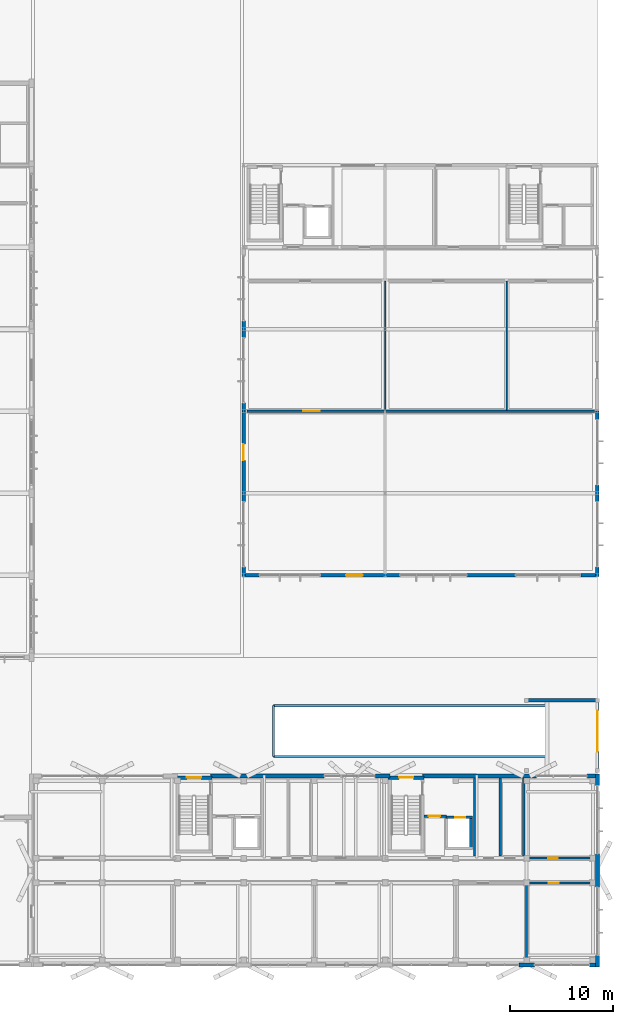
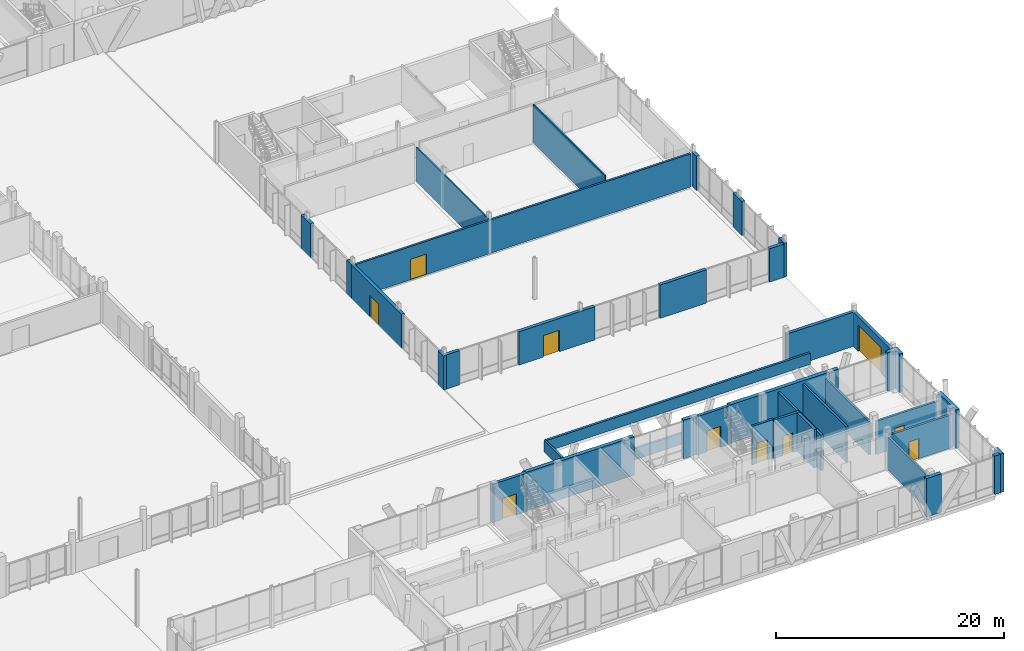
# One storey, part 202 of 233: 39 walls, 10 doors, 10 openings.
"""IFC4 building model written with IfcOpenShell, lengths in metres."""

from ifc_helpers import new_model, si_unit, direction, frame, frame_2d, origin, origin_with_axes, place, context, subcontext, project, spatial, rectangle, extrude, material, layer, layer_set, type_object, element, fill, save


model = new_model("IFC4")

# Units and contexts
model_context = context("Model", 3, precision=1e-05, world=origin(), true_north=direction((0.0, 1.0)))
body_context = subcontext(model_context, "Body", "Model", "MODEL_VIEW")
ifc_project = project(units=[si_unit("LENGTHUNIT", "METRE"), si_unit("AREAUNIT", "SQUARE_METRE"), si_unit("VOLUMEUNIT", "CUBIC_METRE"), si_unit("PLANEANGLEUNIT", "RADIAN"), si_unit("MASSUNIT", "GRAM", prefix="KILO")], contexts=[model_context])

# Site, building, storey
site_placement = place(None, origin())
site = spatial("IfcSite", under=ifc_project, at=site_placement, CompositionType="ELEMENT")
building_placement = place(site_placement, origin())
building = spatial("IfcBuilding", under=site, at=building_placement, Name="Zavelmont Quarter", CompositionType="ELEMENT")
storey_placement = place(building_placement, origin())
storey = spatial("IfcBuildingStorey", under=building, at=storey_placement, Name="L00", CompositionType="ELEMENT", Elevation=0.0)

# Walls
ifc_material_1 = material(Name="Natural Belgian limestone", Category="masonry")
ifc_layer_1 = layer(ifc_material_1, 0.3798828125)
ifc_layer_set_1 = layer_set([ifc_layer_1], Name="Natural Belgian limestone")
wall_type_1 = type_object("IfcWallType", Name="EW01", PredefinedType="STANDARD", material=ifc_layer_set_1)
wall_1_placement = place(storey_placement, frame((160.35009765625, 0.0, 0.0), z_axis=(0.0, 0.0, 1.0), x_axis=(1.0, 0.0, 0.0)))
element("IfcWall", 1, at=wall_1_placement, inside=storey, type_object=wall_type_1, Name="L00 exterior limestone wall EW01", PredefinedType="STANDARD", context=body_context, shape_type="SweptSolid", body=[
    extrude(rectangle(XDim=1.5, YDim=0.3798828125, at=frame_2d((0.75, 0.0))), origin(), (0.0, 0.0, 1.0), 4.1201171875),
])
wall_2_placement = place(storey_placement, frame((167.25, 0.0, 0.0), z_axis=(0.0, 0.0, 1.0), x_axis=(1.0, 0.0, 0.0)))
element("IfcWall", 2, at=wall_2_placement, inside=storey, type_object=wall_type_1, Name="L00 exterior limestone wall EW01", PredefinedType="STANDARD", context=body_context, shape_type="SweptSolid", body=[
    extrude(rectangle(XDim=0.570068359375, YDim=0.3798828125, at=frame_2d((0.28515625, 0.0))), origin(), (0.0, 0.0, 1.0), 4.1201171875),
])
wall_3_placement = place(storey_placement, frame((130.25, 18.39990234375, 0.0), z_axis=(0.0, 0.0, 1.0), x_axis=(1.0, 0.0, 0.0)))
element("IfcWall", 3, at=wall_3_placement, inside=storey, type_object=wall_type_1, Name="L00 exterior limestone wall EW01", PredefinedType="STANDARD", context=body_context, shape_type="SweptSolid", body=[
    extrude(rectangle(XDim=11.10009765625, YDim=0.3798828125, at=frame_2d((5.550048828125, 0.0))), origin(), (0.0, 0.0, 1.0), 4.1201171875),
])
wall_4_placement = place(storey_placement, frame((146.35009765625, 18.39990234375, 0.0), z_axis=(0.0, 0.0, 1.0), x_axis=(1.0, 0.0, 0.0)))
element("IfcWall", 4, at=wall_4_placement, inside=storey, type_object=wall_type_1, Name="L00 exterior limestone wall EW01", PredefinedType="STANDARD", context=body_context, shape_type="SweptSolid", body=[
    extrude(rectangle(XDim=1.39990234375, YDim=0.3798828125, at=frame_2d((0.699951171875, 0.0))), origin(), (0.0, 0.0, 1.0), 4.1201171875),
])
wall_5_placement = place(storey_placement, frame((150.949951171875, 18.39990234375, 0.0), z_axis=(0.0, 0.0, 1.0), x_axis=(1.0, 0.0, 0.0)))
element("IfcWall", 5, at=wall_5_placement, inside=storey, type_object=wall_type_1, Name="L00 exterior limestone wall EW01", PredefinedType="STANDARD", context=body_context, shape_type="SweptSolid", body=[
    extrude(rectangle(XDim=11.10009765625, YDim=0.3798828125, at=frame_2d((5.550048828125, 0.0))), origin(), (0.0, 0.0, 1.0), 4.1201171875),
])
wall_6_placement = place(storey_placement, frame((167.0, 18.39990234375, 0.0), z_axis=(0.0, 0.0, 1.0), x_axis=(1.0, 0.0, 0.0)))
element("IfcWall", 6, at=wall_6_placement, inside=storey, type_object=wall_type_1, Name="L00 exterior limestone wall EW01", PredefinedType="STANDARD", context=body_context, shape_type="SweptSolid", body=[
    extrude(rectangle(XDim=0.820068359375, YDim=0.3798828125, at=frame_2d((0.41015625, 0.0))), origin(), (0.0, 0.0, 1.0), 4.1201171875),
])
wall_7_placement = place(storey_placement, frame((168.0, -0.18994140625, 0.0), z_axis=(0.0, 0.0, 1.0), x_axis=(0.0, 1.0, 0.0)))
element("IfcWall", 7, at=wall_7_placement, inside=storey, type_object=wall_type_1, Name="L00 exterior limestone wall EW01", PredefinedType="STANDARD", context=body_context, shape_type="SweptSolid", body=[
    extrude(rectangle(XDim=1.08984375, YDim=0.3798828125, at=frame_2d((0.544921875, 0.0))), origin(), (0.0, 0.0, 1.0), 4.1201171875),
])
wall_8_placement = place(storey_placement, frame((168.0, 7.60009765625, 0.0), z_axis=(0.0, 0.0, 1.0), x_axis=(0.0, 1.0, 0.0)))
element("IfcWall", 8, at=wall_8_placement, inside=storey, type_object=wall_type_1, Name="L00 exterior limestone wall EW01", PredefinedType="STANDARD", context=body_context, shape_type="SweptSolid", body=[
    extrude(rectangle(XDim=3.199951171875, YDim=0.3798828125, at=frame_2d((1.60009765625, 0.0))), origin(), (0.0, 0.0, 1.0), 4.1201171875),
])
wall_9_placement = place(storey_placement, frame((168.0, 17.5, 0.0), z_axis=(0.0, 0.0, 1.0), x_axis=(0.0, 1.0, 0.0)))
element("IfcWall", 9, at=wall_9_placement, inside=storey, type_object=wall_type_1, Name="L00 exterior limestone wall EW01", PredefinedType="STANDARD", context=body_context, shape_type="SweptSolid", body=[
    extrude(rectangle(XDim=1.090087890625, YDim=0.3798828125, at=frame_2d((0.544921875, 0.0))), origin(), (0.0, 0.0, 1.0), 4.1201171875),
])
ifc_layer_2 = layer(ifc_material_1, 0.320068359375)
ifc_layer_set_2 = layer_set([ifc_layer_2], Name="Natural Belgian limestone")
wall_type_2 = type_object("IfcWallType", Name="EW05", PredefinedType="STANDARD", material=ifc_layer_set_2)
wall_10_placement = place(storey_placement, frame((133.5, 37.840087890625, 0.0), z_axis=(0.0, 0.0, 1.0), x_axis=(0.0, 1.0, 0.0)))
element("IfcWall", 10, at=wall_10_placement, inside=storey, type_object=wall_type_2, Name="L00 exterior limestone wall EW05", PredefinedType="STANDARD", context=body_context, shape_type="SweptSolid", body=[
    extrude(rectangle(XDim=0.9599609375, YDim=0.320068359375, at=frame_2d((0.47998046875, 0.0))), origin(), (0.0, 0.0, 1.0), 3.659912109375),
])

# Wall, opening, door
wall_11_placement = place(storey_placement, frame((133.5, 45.199951171875, 0.0), z_axis=(0.0, 0.0, 1.0), x_axis=(0.0, 1.0, 0.0)))
wall_11 = element("IfcWall", 11, at=wall_11_placement, inside=storey, type_object=wall_type_2, Name="L00 exterior limestone wall EW05", PredefinedType="STANDARD", context=body_context, shape_type="SweptSolid", body=[
    extrude(rectangle(XDim=8.800048828125, YDim=0.320068359375, at=frame_2d((4.39990234375, 0.0))), origin(), (0.0, 0.0, 1.0), 3.659912109375),
])
opening_1_placement = place(wall_11_placement, frame((4.0, 0.0, 0.0)))
opening_1 = element("IfcOpeningElement", 12, at=opening_1_placement, cuts=wall_11, Name="Opening DR01B", PredefinedType="OPENING", context=body_context, shape_type="SweptSolid", body=[
    extrude(rectangle(XDim=1.60009765625, YDim=2.300048828125, at=frame_2d((0.800048828125, 1.14990234375))), frame((0.0, 0.171875, 0.0), z_axis=(0.0, -1.0, 0.0), x_axis=(1.0, 0.0, 0.0)), (0.0, 0.0, 1.0), 0.343994140625),
])
ifc_material_2 = material(Name="Powder-coated aluminium and tempered double safety glass", Category="aluminium")
door_type_1 = type_object("IfcDoorType", Name="DR01B", OperationType="DOUBLE_DOOR_SINGLE_SWING", PredefinedType="DOOR", material=ifc_material_2)
door_1_placement = place(opening_1_placement, origin_with_axes())
door_1 = element("IfcDoor", 13, at=door_1_placement, inside=storey, type_object=door_type_1, Name="Nursery West garden exit door", OperationType="DOUBLE_DOOR_SINGLE_SWING", OverallHeight=2.300048828125, OverallWidth=1.60009765625, PredefinedType="DOOR", context=body_context, shape_type="SweptSolid", body=[
    extrude(rectangle(XDim=1.60009765625, YDim=2.300048828125, at=frame_2d((0.800048828125, 1.14990234375))), frame((0.0, 0.02490234375, 0.0), z_axis=(0.0, -1.0, 0.0), x_axis=(1.0, 0.0, 0.0)), (0.0, 0.0, 1.0), 0.050048828125),
])
fill(opening_1, door_1)

# Walls
wall_12_placement = place(storey_placement, frame((133.5, 54.0, 0.0), z_axis=(0.0, 0.0, 1.0), x_axis=(0.0, 1.0, 0.0)))
element("IfcWall", 14, at=wall_12_placement, inside=storey, type_object=wall_type_2, Name="L00 exterior limestone wall EW05", PredefinedType="STANDARD", context=body_context, shape_type="SweptSolid", body=[
    extrude(rectangle(XDim=0.800048828125, YDim=0.320068359375, at=frame_2d((0.39990234375, 0.0))), origin(), (0.0, 0.0, 1.0), 3.659912109375),
])
wall_13_placement = place(storey_placement, frame((133.5, 61.199951171875, 0.0), z_axis=(0.0, 0.0, 1.0), x_axis=(0.0, 1.0, 0.0)))
element("IfcWall", 15, at=wall_13_placement, inside=storey, type_object=wall_type_2, Name="L00 exterior limestone wall EW05", PredefinedType="STANDARD", context=body_context, shape_type="SweptSolid", body=[
    extrude(rectangle(XDim=1.60009765625, YDim=0.320068359375, at=frame_2d((0.800048828125, 0.0))), origin(), (0.0, 0.0, 1.0), 3.659912109375),
])
wall_14_placement = place(storey_placement, frame((168.0, 37.840087890625, 0.0), z_axis=(0.0, 0.0, 1.0), x_axis=(0.0, 1.0, 0.0)))
element("IfcWall", 16, at=wall_14_placement, inside=storey, type_object=wall_type_2, Name="L00 exterior limestone wall EW05", PredefinedType="STANDARD", context=body_context, shape_type="SweptSolid", body=[
    extrude(rectangle(XDim=0.9599609375, YDim=0.320068359375, at=frame_2d((0.47998046875, 0.0))), origin(), (0.0, 0.0, 1.0), 3.659912109375),
])
wall_15_placement = place(storey_placement, frame((168.0, 45.199951171875, 0.0), z_axis=(0.0, 0.0, 1.0), x_axis=(0.0, 1.0, 0.0)))
element("IfcWall", 17, at=wall_15_placement, inside=storey, type_object=wall_type_2, Name="L00 exterior limestone wall EW05", PredefinedType="STANDARD", context=body_context, shape_type="SweptSolid", body=[
    extrude(rectangle(XDim=1.60009765625, YDim=0.320068359375, at=frame_2d((0.800048828125, 0.0))), origin(), (0.0, 0.0, 1.0), 3.659912109375),
])
wall_16_placement = place(storey_placement, frame((168.0, 53.199951171875, 0.0), z_axis=(0.0, 0.0, 1.0), x_axis=(0.0, 1.0, 0.0)))
element("IfcWall", 18, at=wall_16_placement, inside=storey, type_object=wall_type_2, Name="L00 exterior limestone wall EW05", PredefinedType="STANDARD", context=body_context, shape_type="SweptSolid", body=[
    extrude(rectangle(XDim=0.800048828125, YDim=0.320068359375, at=frame_2d((0.39990234375, 0.0))), origin(), (0.0, 0.0, 1.0), 3.659912109375),
])
wall_17_placement = place(storey_placement, frame((133.64990234375, 38.0, 0.0), z_axis=(0.0, 0.0, 1.0), x_axis=(1.0, 0.0, 0.0)))
element("IfcWall", 19, at=wall_17_placement, inside=storey, type_object=wall_type_2, Name="L00 exterior limestone wall EW05", PredefinedType="STANDARD", context=body_context, shape_type="SweptSolid", body=[
    extrude(rectangle(XDim=1.35009765625, YDim=0.320068359375, at=frame_2d((0.675048828125, 0.0))), origin(), (0.0, 0.0, 1.0), 3.669921875),
])

# Wall, opening, door
wall_18_placement = place(storey_placement, frame((141.0, 38.0, 0.0), z_axis=(0.0, 0.0, 1.0), x_axis=(1.0, 0.0, 0.0)))
wall_18 = element("IfcWall", 20, at=wall_18_placement, inside=storey, type_object=wall_type_2, Name="L00 exterior limestone wall EW05", PredefinedType="STANDARD", context=body_context, shape_type="SweptSolid", body=[
    extrude(rectangle(XDim=7.699951171875, YDim=0.320068359375, at=frame_2d((3.85009765625, 0.0))), origin(), (0.0, 0.0, 1.0), 3.570068359375),
])
opening_2_placement = place(wall_18_placement, frame((2.5, 0.0, 0.0)))
opening_2 = element("IfcOpeningElement", 21, at=opening_2_placement, cuts=wall_18, Name="Opening DR01B", PredefinedType="OPENING", context=body_context, shape_type="SweptSolid", body=[
    extrude(rectangle(XDim=1.60009765625, YDim=2.300048828125, at=frame_2d((0.800048828125, 1.14990234375))), frame((0.0, 0.171875, 0.0), z_axis=(0.0, -1.0, 0.0), x_axis=(1.0, 0.0, 0.0)), (0.0, 0.0, 1.0), 0.343994140625),
])
door_2_placement = place(opening_2_placement, frame((1.60009765625, 0.0, 0.0), z_axis=(0.0, 0.0, 1.0), x_axis=(-1.0, 0.0, 0.0)))
door_2 = element("IfcDoor", 22, at=door_2_placement, inside=storey, type_object=door_type_1, Name="Nursery South play-court door", OperationType="DOUBLE_DOOR_SINGLE_SWING", OverallHeight=2.300048828125, OverallWidth=1.60009765625, PredefinedType="DOOR", context=body_context, shape_type="SweptSolid", body=[
    extrude(rectangle(XDim=1.60009765625, YDim=2.300048828125, at=frame_2d((0.800048828125, 1.14990234375))), frame((0.0, 0.02490234375, 0.0), z_axis=(0.0, -1.0, 0.0), x_axis=(1.0, 0.0, 0.0)), (0.0, 0.0, 1.0), 0.050048828125),
])
fill(opening_2, door_2)

# Walls
wall_19_placement = place(storey_placement, frame((155.300048828125, 38.0, 0.0), z_axis=(0.0, 0.0, 1.0), x_axis=(1.0, 0.0, 0.0)))
element("IfcWall", 23, at=wall_19_placement, inside=storey, type_object=wall_type_2, Name="L00 exterior limestone wall EW05", PredefinedType="STANDARD", context=body_context, shape_type="SweptSolid", body=[
    extrude(rectangle(XDim=4.699951171875, YDim=0.320068359375, at=frame_2d((2.35009765625, 0.0))), origin(), (0.0, 0.0, 1.0), 3.570068359375),
])
wall_20_placement = place(storey_placement, frame((166.39990234375, 38.0, 0.0), z_axis=(0.0, 0.0, 1.0), x_axis=(1.0, 0.0, 0.0)))
element("IfcWall", 24, at=wall_20_placement, inside=storey, type_object=wall_type_2, Name="L00 exterior limestone wall EW05", PredefinedType="STANDARD", context=body_context, shape_type="SweptSolid", body=[
    extrude(rectangle(XDim=1.4501953125, YDim=0.320068359375, at=frame_2d((0.72509765625, 0.0))), origin(), (0.0, 0.0, 1.0), 3.570068359375),
])

# Wall, opening, door
ifc_layer_3 = layer(ifc_material_1, 0.31005859375)
ifc_layer_set_3 = layer_set([ifc_layer_3], Name="Natural Belgian limestone")
wall_type_3 = type_object("IfcWallType", Name="EW06", PredefinedType="STANDARD", material=ifc_layer_set_3)
wall_21_placement = place(storey_placement, frame((168.0, 18.949951171875, 0.0), z_axis=(0.0, 0.0, 1.0), x_axis=(0.0, 1.0, 0.0)))
wall_21 = element("IfcWall", 25, at=wall_21_placement, inside=storey, type_object=wall_type_3, Name="L00 exterior limestone wall EW06", PredefinedType="STANDARD", context=body_context, shape_type="SweptSolid", body=[
    extrude(rectangle(XDim=6.85009765625, YDim=0.31005859375, at=frame_2d((3.425048828125, 0.0))), origin(), (0.0, 0.0, 1.0), 3.679931640625),
])
opening_3_placement = place(wall_21_placement, frame((1.85009765625, 0.0, 0.0)))
opening_3 = element("IfcOpeningElement", 26, at=opening_3_placement, cuts=wall_21, Name="Opening VG01", PredefinedType="OPENING", context=body_context, shape_type="SweptSolid", body=[
    extrude(rectangle(XDim=4.0, YDim=2.800048828125, at=frame_2d((2.0, 1.39990234375))), frame((0.0, 0.1669921875, 0.0), z_axis=(0.0, -1.0, 0.0), x_axis=(1.0, 0.0, 0.0)), (0.0, 0.0, 1.0), 0.333984375),
])
ifc_material_3 = material(Name="Galvanised and powder-coated steel slats", Category="steel")
door_type_2 = type_object("IfcDoorType", Name="VG01", OperationType="ROLLINGUP", PredefinedType="GATE", material=ifc_material_3)
door_3_placement = place(opening_3_placement, frame((4.0, 0.0, 0.0), z_axis=(0.0, 0.0, 1.0), x_axis=(-1.0, 0.0, 0.0)))
door_3 = element("IfcDoor", 27, at=door_3_placement, inside=storey, type_object=door_type_2, Name="Basement vehicle ramp roller-shutter gate VG01", OperationType="ROLLINGUP", OverallHeight=2.800048828125, OverallWidth=4.0, PredefinedType="GATE", context=body_context, shape_type="SweptSolid", body=[
    extrude(rectangle(XDim=4.0, YDim=2.800048828125, at=frame_2d((2.0, 1.39990234375))), frame((0.0, 0.02490234375, 0.0), z_axis=(0.0, -1.0, 0.0), x_axis=(1.0, 0.0, 0.0)), (0.0, 0.0, 1.0), 0.050048828125),
])
fill(opening_3, door_3)

# Walls
wall_22_placement = place(storey_placement, frame((161.10009765625, 25.800048828125, 0.0), z_axis=(0.0, 0.0, 1.0), x_axis=(1.0, 0.0, 0.0)))
element("IfcWall", 28, at=wall_22_placement, inside=storey, type_object=wall_type_3, Name="L00 exterior limestone wall EW06", PredefinedType="STANDARD", context=body_context, shape_type="SweptSolid", body=[
    extrude(rectangle(XDim=6.89990234375, YDim=0.31005859375, at=frame_2d((3.449951171875, 0.0))), origin(), (0.0, 0.0, 1.0), 3.679931640625),
])
ifc_material_4 = material(Name="Calcium-silicate blockwork and acoustic plaster", Category="masonry")
ifc_layer_4 = layer(ifc_material_4, 0.199951171875)
ifc_layer_set_4 = layer_set([ifc_layer_4], Name="Calcium-silicate blockwork and acoustic plaster")
wall_type_4 = type_object("IfcWallType", Name="IW01", PredefinedType="PARTITIONING", material=ifc_layer_set_4)
wall_23_placement = place(storey_placement, frame((158.52490234375, 10.60009765625, 0.0), z_axis=(0.0, 0.0, 1.0), x_axis=(0.0, 1.0, 0.0)))
element("IfcWall", 29, at=wall_23_placement, inside=storey, type_object=wall_type_4, Name="L00 Service riser divider wall IW01", PredefinedType="PARTITIONING", context=body_context, shape_type="SweptSolid", body=[
    extrude(rectangle(XDim=7.599853515625, YDim=0.199951171875, at=frame_2d((3.7998046875, 0.0))), origin(), (0.0, 0.0, 1.0), 3.7900390625),
])
wall_24_placement = place(storey_placement, frame((160.820068359375, 10.60009765625, 0.0), z_axis=(0.0, 0.0, 1.0), x_axis=(0.0, 1.0, 0.0)))
element("IfcWall", 30, at=wall_24_placement, inside=storey, type_object=wall_type_4, Name="L00 Core service end wall IW01", PredefinedType="PARTITIONING", context=body_context, shape_type="SweptSolid", body=[
    extrude(rectangle(XDim=7.599853515625, YDim=0.199951171875, at=frame_2d((3.7998046875, 0.0))), origin(), (0.0, 0.0, 1.0), 3.56005859375),
])
wall_25_placement = place(storey_placement, frame((161.10009765625, 0.25, 0.0), z_axis=(0.0, 0.0, 1.0), x_axis=(0.0, 1.0, 0.0)))
element("IfcWall", 31, at=wall_25_placement, inside=storey, type_object=wall_type_4, Name="L00 Interior partition IW01", PredefinedType="PARTITIONING", context=body_context, shape_type="SweptSolid", body=[
    extrude(rectangle(XDim=7.60009765625, YDim=0.199951171875, at=frame_2d((3.800048828125, 0.0))), origin(), (0.0, 0.0, 1.0), 3.56005859375),
])

# Wall, opening, door
wall_26_placement = place(storey_placement, frame((161.25, 8.0, 0.0), z_axis=(0.0, 0.0, 1.0), x_axis=(1.0, 0.0, 0.0)))
wall_26 = element("IfcWall", 32, at=wall_26_placement, inside=storey, type_object=wall_type_4, Name="L00 Accessible Toilet corridor wall IW01", PredefinedType="PARTITIONING", context=body_context, shape_type="SweptSolid", body=[
    extrude(rectangle(XDim=6.449951171875, YDim=0.199951171875, at=frame_2d((3.22509765625, 0.0))), origin(), (0.0, 0.0, 1.0), 3.56005859375),
])
opening_4_placement = place(wall_26_placement, frame((2.0, 0.0, 0.0)))
opening_4 = element("IfcOpeningElement", 33, at=opening_4_placement, cuts=wall_26, Name="Opening DR07", PredefinedType="OPENING", context=body_context, shape_type="SweptSolid", body=[
    extrude(rectangle(XDim=1.0, YDim=2.14990234375, at=frame_2d((0.5, 1.074951171875))), frame((0.0, 0.11181640625, 0.0), z_axis=(0.0, -1.0, 0.0), x_axis=(1.0, 0.0, 0.0)), (0.0, 0.0, 1.0), 0.223876953125),
])
ifc_material_5 = material(Name="Solid-core oak fire leaf in steel frame", Category="steel")
door_type_3 = type_object("IfcDoorType", Name="DR07", OperationType="NOTDEFINED", PredefinedType="DOOR", material=ifc_material_5)
door_4_placement = place(opening_4_placement, frame((1.0, 0.0, 0.0), z_axis=(0.0, 0.0, 1.0), x_axis=(-1.0, 0.0, 0.0)))
door_4 = element("IfcDoor", 34, at=door_4_placement, inside=storey, type_object=door_type_3, Name="L00 door DR07", OperationType="SINGLE_SWING_LEFT", OverallHeight=2.14990234375, OverallWidth=1.0, PredefinedType="DOOR", context=body_context, shape_type="SweptSolid", body=[
    extrude(rectangle(XDim=1.0, YDim=2.14990234375, at=frame_2d((0.5, 1.074951171875))), frame((0.0, 0.02490234375, 0.0), z_axis=(0.0, -1.0, 0.0), x_axis=(1.0, 0.0, 0.0)), (0.0, 0.0, 1.0), 0.050048828125),
])
fill(opening_4, door_4)

wall_27_placement = place(storey_placement, frame((161.300048828125, 10.39990234375, 0.0), z_axis=(0.0, 0.0, 1.0), x_axis=(1.0, 0.0, 0.0)))
wall_27 = element("IfcWall", 35, at=wall_27_placement, inside=storey, type_object=wall_type_4, Name="L00 Interior partition IW01", PredefinedType="PARTITIONING", context=body_context, shape_type="SweptSolid", body=[
    extrude(rectangle(XDim=6.449951171875, YDim=0.199951171875, at=frame_2d((3.22509765625, 0.0))), origin(), (0.0, 0.0, 1.0), 3.56005859375),
])
opening_5_placement = place(wall_27_placement, frame((1.89990234375, 0.0, 0.0)))
opening_5 = element("IfcOpeningElement", 36, at=opening_5_placement, cuts=wall_27, Name="Opening DR02", PredefinedType="OPENING", context=body_context, shape_type="SweptSolid", body=[
    extrude(rectangle(XDim=0.949951171875, YDim=2.14990234375, at=frame_2d((0.47509765625, 1.074951171875))), frame((0.0, 0.11181640625, 0.0), z_axis=(0.0, -1.0, 0.0), x_axis=(1.0, 0.0, 0.0)), (0.0, 0.0, 1.0), 0.223876953125),
])
door_type_4 = type_object("IfcDoorType", Name="DR02", OperationType="NOTDEFINED", PredefinedType="DOOR", material=ifc_material_5)
door_5_placement = place(opening_5_placement, origin_with_axes())
door_5 = element("IfcDoor", 37, at=door_5_placement, inside=storey, type_object=door_type_4, Name="L00 door DR02", OperationType="SINGLE_SWING_LEFT", OverallHeight=2.14990234375, OverallWidth=0.949951171875, PredefinedType="DOOR", context=body_context, shape_type="SweptSolid", body=[
    extrude(rectangle(XDim=0.949951171875, YDim=2.14990234375, at=frame_2d((0.47509765625, 1.074951171875))), frame((0.0, 0.02490234375, 0.0), z_axis=(0.0, -1.0, 0.0), x_axis=(1.0, 0.0, 0.0)), (0.0, 0.0, 1.0), 0.050048828125),
])
fill(opening_5, door_5)

wall_28_placement = place(storey_placement, frame((133.800048828125, 54.0, 0.0), z_axis=(0.0, 0.0, 1.0), x_axis=(1.0, 0.0, 0.0)))
wall_28 = element("IfcWall", 38, at=wall_28_placement, inside=storey, type_object=wall_type_4, Name="L00 Interior partition IW01", PredefinedType="PARTITIONING", context=body_context, shape_type="SweptSolid", body=[
    extrude(rectangle(XDim=33.89990234375, YDim=0.199951171875, at=frame_2d((16.949951171875, 0.0))), origin(), (0.0, 0.0, 1.0), 3.570068359375),
])
opening_6_placement = place(wall_28_placement, frame((5.5, 0.0, 0.0)))
opening_6 = element("IfcOpeningElement", 39, at=opening_6_placement, cuts=wall_28, Name="Opening DR12", PredefinedType="OPENING", context=body_context, shape_type="SweptSolid", body=[
    extrude(rectangle(XDim=1.60009765625, YDim=2.199951171875, at=frame_2d((0.800048828125, 1.10009765625))), frame((0.0, 0.11181640625, 0.0), z_axis=(0.0, -1.0, 0.0), x_axis=(1.0, 0.0, 0.0)), (0.0, 0.0, 1.0), 0.223876953125),
])
ifc_material_6 = material(Name="Glazed oak acoustic fire door pair")
door_type_5 = type_object("IfcDoorType", Name="DR12", OperationType="DOUBLE_DOOR_SINGLE_SWING", PredefinedType="DOOR", material=ifc_material_6)
door_6_placement = place(opening_6_placement, frame((1.60009765625, 0.0, 0.0), z_axis=(0.0, 0.0, 1.0), x_axis=(-1.0, 0.0, 0.0)))
door_6 = element("IfcDoor", 40, at=door_6_placement, inside=storey, type_object=door_type_5, Name="L00 door DR12", OperationType="DOUBLE_DOOR_SINGLE_SWING", OverallHeight=2.199951171875, OverallWidth=1.60009765625, PredefinedType="DOOR", context=body_context, shape_type="SweptSolid", body=[
    extrude(rectangle(XDim=1.60009765625, YDim=2.199951171875, at=frame_2d((0.800048828125, 1.10009765625))), frame((0.0, 0.02490234375, 0.0), z_axis=(0.0, -1.0, 0.0), x_axis=(1.0, 0.0, 0.0)), (0.0, 0.0, 1.0), 0.050048828125),
])
fill(opening_6, door_6)

# Wall
ifc_material_7 = material(Name="Reinforced masonry fire compartment wall", Category="masonry")
ifc_layer_5 = layer(ifc_material_7, 0.22509765625)
ifc_layer_set_5 = layer_set([ifc_layer_5], Name="Reinforced masonry fire compartment wall")
wall_type_5 = type_object("IfcWallType", Name="IW02", PredefinedType="PARTITIONING", material=ifc_layer_set_5)
wall_29_placement = place(storey_placement, frame((156.010009765625, 10.60009765625, 0.0), z_axis=(0.0, 0.0, 1.0), x_axis=(0.0, 1.0, 0.0)))
element("IfcWall", 41, at=wall_29_placement, inside=storey, type_object=wall_type_5, Name="L00 Firefighting lobby enclosure wall IW02", PredefinedType="PARTITIONING", context=body_context, shape_type="SweptSolid", body=[
    extrude(rectangle(XDim=7.599853515625, YDim=0.22509765625, at=frame_2d((3.7998046875, 0.0))), origin(), (0.0, 0.0, 1.0), 3.7900390625),
])

# Wall, opening, door
wall_30_placement = place(storey_placement, frame((151.10009765625, 14.5, 0.0), z_axis=(0.0, 0.0, 1.0), x_axis=(1.0, 0.0, 0.0)))
wall_30 = element("IfcWall", 42, at=wall_30_placement, inside=storey, type_object=wall_type_5, Name="L00 Firefighting lobby threshold wall IW02", PredefinedType="PARTITIONING", context=body_context, shape_type="SweptSolid", body=[
    extrude(rectangle(XDim=2.199951171875, YDim=0.22509765625, at=frame_2d((1.10009765625, 0.0))), origin(), (0.0, 0.0, 1.0), 4.1201171875),
])
opening_7_placement = place(wall_30_placement, frame((0.449951171875, 0.0, 0.0)))
opening_7 = element("IfcOpeningElement", 43, at=opening_7_placement, cuts=wall_30, Name="Opening DR10", PredefinedType="OPENING", context=body_context, shape_type="SweptSolid", body=[
    extrude(rectangle(XDim=1.10009765625, YDim=2.14990234375, at=frame_2d((0.550048828125, 1.074951171875))), frame((0.0, 0.12451171875, 0.0), z_axis=(0.0, -1.0, 0.0), x_axis=(1.0, 0.0, 0.0)), (0.0, 0.0, 1.0), 0.2490234375),
])
ifc_material_8 = material(Name="Painted steel lobby fire door", Category="steel")
door_type_6 = type_object("IfcDoorType", Name="DR10", OperationType="NOTDEFINED", PredefinedType="DOOR", material=ifc_material_8)
door_7_placement = place(opening_7_placement, origin_with_axes())
door_7 = element("IfcDoor", 44, at=door_7_placement, inside=storey, type_object=door_type_6, Name="Firefighting lobby fire door", OperationType="SINGLE_SWING_LEFT", OverallHeight=2.14990234375, OverallWidth=1.10009765625, PredefinedType="DOOR", context=body_context, shape_type="SweptSolid", body=[
    extrude(rectangle(XDim=1.10009765625, YDim=2.14990234375, at=frame_2d((0.550048828125, 1.074951171875))), frame((0.0, 0.02490234375, 0.0), z_axis=(0.0, -1.0, 0.0), x_axis=(1.0, 0.0, 0.0)), (0.0, 0.0, 1.0), 0.050048828125),
])
fill(opening_7, door_7)

# Walls
ifc_material_9 = material(Name="Double gypsum board on acoustic steel stud", Category="steel")
ifc_layer_6 = layer(ifc_material_9, 0.125)
ifc_layer_set_6 = layer_set([ifc_layer_6], Name="Double gypsum board on acoustic steel stud")
wall_type_6 = type_object("IfcWallType", Name="IW03", PredefinedType="PARTITIONING", material=ifc_layer_set_6)
wall_31_placement = place(storey_placement, frame((147.300048828125, 54.10009765625, 0.0), z_axis=(0.0, 0.0, 1.0), x_axis=(0.0, 1.0, 0.0)))
element("IfcWall", 45, at=wall_31_placement, inside=storey, type_object=wall_type_6, Name="L00 Interior partition IW03", PredefinedType="PARTITIONING", context=body_context, shape_type="SweptSolid", body=[
    extrude(rectangle(XDim=12.599853515625, YDim=0.125, at=frame_2d((6.2998046875, 0.0))), origin(), (0.0, 0.0, 1.0), 3.659912109375),
])
wall_32_placement = place(storey_placement, frame((159.14990234375, 54.10009765625, 0.0), z_axis=(0.0, 0.0, 1.0), x_axis=(0.0, 1.0, 0.0)))
element("IfcWall", 46, at=wall_32_placement, inside=storey, type_object=wall_type_6, Name="L00 Interior partition IW03", PredefinedType="PARTITIONING", context=body_context, shape_type="SweptSolid", body=[
    extrude(rectangle(XDim=12.599853515625, YDim=0.125, at=frame_2d((6.2998046875, 0.0))), origin(), (0.0, 0.0, 1.0), 4.1201171875),
])
ifc_layer_7 = layer(ifc_material_1, 0.219970703125)
ifc_layer_set_7 = layer_set([ifc_layer_7], Name="Natural Belgian limestone")
wall_type_7 = type_object("IfcWallType", Name="PW02", PredefinedType="PARAPET", material=ifc_layer_set_7)
wall_33_placement = place(storey_placement, frame((136.39990234375, 20.320068359375, 0.0), z_axis=(0.0, 0.0, 1.0), x_axis=(1.0, 0.0, 0.0)))
element("IfcWall", 47, at=wall_33_placement, inside=storey, type_object=wall_type_7, Name="Vehicle ramp opening safety parapet", PredefinedType="PARAPET", context=body_context, shape_type="SweptSolid", body=[
    extrude(rectangle(XDim=26.800048828125, YDim=0.219970703125, at=frame_2d((13.39990234375, 0.0))), origin(), (0.0, 0.0, 1.0), 1.199951171875),
])
wall_34_placement = place(storey_placement, frame((136.39990234375, 20.320068359375, 0.0), z_axis=(0.0, 0.0, 1.0), x_axis=(0.0, 1.0, 0.0)))
element("IfcWall", 48, at=wall_34_placement, inside=storey, type_object=wall_type_7, Name="Vehicle ramp opening safety parapet", PredefinedType="PARAPET", context=body_context, shape_type="SweptSolid", body=[
    extrude(rectangle(XDim=4.9599609375, YDim=0.219970703125, at=frame_2d((2.47998046875, 0.0))), origin(), (0.0, 0.0, 1.0), 1.199951171875),
])
wall_35_placement = place(storey_placement, frame((136.39990234375, 25.280029296875, 0.0), z_axis=(0.0, 0.0, 1.0), x_axis=(1.0, 0.0, 0.0)))
element("IfcWall", 49, at=wall_35_placement, inside=storey, type_object=wall_type_7, Name="Vehicle ramp opening safety parapet", PredefinedType="PARAPET", context=body_context, shape_type="SweptSolid", body=[
    extrude(rectangle(XDim=26.800048828125, YDim=0.219970703125, at=frame_2d((13.39990234375, 0.0))), origin(), (0.0, 0.0, 1.0), 1.199951171875),
])

# Wall, opening, door
ifc_material_10 = material(Name="Concrete C40/50", Category="concrete")
ifc_layer_8 = layer(ifc_material_10, 0.25)
ifc_layer_set_8 = layer_set([ifc_layer_8], Name="Concrete C40/50")
wall_type_8 = type_object("IfcWallType", Name="SW02", PredefinedType="SHEAR", material=ifc_layer_set_8)
wall_36_placement = place(storey_placement, frame((153.199951171875, 14.375, 0.0), z_axis=(0.0, 0.0, 1.0), x_axis=(1.0, 0.0, 0.0)))
wall_36 = element("IfcWall", 50, at=wall_36_placement, inside=storey, type_object=wall_type_8, Name="L00 Lift LF08 landing shaft wall SW02", PredefinedType="SHEAR", context=body_context, shape_type="SweptSolid", body=[
    extrude(rectangle(XDim=2.60009765625, YDim=0.25, at=frame_2d((1.300048828125, 0.0))), origin(), (0.0, 0.0, 1.0), 4.1201171875),
])
opening_8_placement = place(wall_36_placement, frame((0.925048828125, 0.0, 0.0)))
opening_8 = element("IfcOpeningElement", 51, at=opening_8_placement, cuts=wall_36, Name="Opening LD01", PredefinedType="OPENING", context=body_context, shape_type="SweptSolid", body=[
    extrude(rectangle(XDim=1.0, YDim=2.10009765625, at=frame_2d((0.5, 1.050048828125))), frame((0.0, 0.136962890625, 0.0), z_axis=(0.0, -1.0, 0.0), x_axis=(1.0, 0.0, 0.0)), (0.0, 0.0, 1.0), 0.27392578125),
])
ifc_material_11 = material(Name="Brushed stainless-steel automatic sliding landing door", Category="steel")
door_type_7 = type_object("IfcDoorType", Name="LD01", OperationType="SLIDING_TO_LEFT", PredefinedType="DOOR", material=ifc_material_11)
door_8_placement = place(opening_8_placement, origin_with_axes())
door_8 = element("IfcDoor", 52, at=door_8_placement, inside=storey, type_object=door_type_7, Name="Lift LF08 sliding landing door", OperationType="SLIDING_TO_LEFT", OverallHeight=2.10009765625, OverallWidth=1.0, PredefinedType="DOOR", context=body_context, shape_type="SweptSolid", body=[
    extrude(rectangle(XDim=1.0, YDim=2.10009765625, at=frame_2d((0.5, 1.050048828125))), frame((0.0, 0.02490234375, 0.0), z_axis=(0.0, -1.0, 0.0), x_axis=(1.0, 0.0, 0.0)), (0.0, 0.0, 1.0), 0.050048828125),
])
fill(opening_8, door_8)

# Wall
wall_37_placement = place(storey_placement, frame((155.675048828125, 11.25, 0.0), z_axis=(0.0, 0.0, 1.0), x_axis=(0.0, 1.0, 0.0)))
element("IfcWall", 53, at=wall_37_placement, inside=storey, type_object=wall_type_8, Name="L00 Lift LF08 east shaft wall SW02", PredefinedType="SHEAR", context=body_context, shape_type="SweptSolid", body=[
    extrude(rectangle(XDim=3.25, YDim=0.25, at=frame_2d((1.625, 0.0))), origin(), (0.0, 0.0, 1.0), 4.1201171875),
])

# Wall, opening, door
ifc_layer_9 = layer(ifc_material_10, 0.300048828125)
ifc_layer_set_9 = layer_set([ifc_layer_9], Name="Concrete C40/50")
wall_type_9 = type_object("IfcWallType", Name="SW03", PredefinedType="SHEAR", material=ifc_layer_set_9)
wall_38_placement = place(storey_placement, frame((126.89990234375, 18.25, 0.0), z_axis=(0.0, 0.0, 1.0), x_axis=(1.0, 0.0, 0.0)))
wall_38 = element("IfcWall", 54, at=wall_38_placement, inside=storey, type_object=wall_type_9, Name="L00 ST07 outer shear wall SW03", PredefinedType="SHEAR", context=body_context, shape_type="SweptSolid", body=[
    extrude(rectangle(XDim=3.5, YDim=0.300048828125, at=frame_2d((1.75, 0.0))), origin(), (0.0, 0.0, 1.0), 4.1201171875),
])
opening_9_placement = place(wall_38_placement, frame((1.050048828125, 0.0, 0.0)))
opening_9 = element("IfcOpeningElement", 55, at=opening_9_placement, cuts=wall_38, Name="Opening DR15", PredefinedType="OPENING", context=body_context, shape_type="SweptSolid", body=[
    extrude(rectangle(XDim=1.39990234375, YDim=2.25, at=frame_2d((0.699951171875, 1.125))), frame((0.0, 0.162109375, 0.0), z_axis=(0.0, -1.0, 0.0), x_axis=(1.0, 0.0, 0.0)), (0.0, 0.0, 1.0), 0.323974609375),
])
ifc_material_12 = material(Name="Powder-coated steel final-exit stair door", Category="steel")
door_type_8 = type_object("IfcDoorType", Name="DR15", OperationType="DOUBLE_DOOR_SINGLE_SWING", PredefinedType="DOOR", material=ifc_material_12)
door_9_placement = place(opening_9_placement, origin_with_axes())
door_9 = element("IfcDoor", 56, at=door_9_placement, inside=storey, type_object=door_type_8, Name="Block D ST07 courtyard final exit door", OperationType="DOUBLE_DOOR_SINGLE_SWING", OverallHeight=2.25, OverallWidth=1.39990234375, PredefinedType="DOOR", context=body_context, shape_type="SweptSolid", body=[
    extrude(rectangle(XDim=1.39990234375, YDim=2.25, at=frame_2d((0.699951171875, 1.125))), frame((0.0, 0.02490234375, 0.0), z_axis=(0.0, -1.0, 0.0), x_axis=(1.0, 0.0, 0.0)), (0.0, 0.0, 1.0), 0.050048828125),
])
fill(opening_9, door_9)

wall_39_placement = place(storey_placement, frame((147.60009765625, 18.25, 0.0), z_axis=(0.0, 0.0, 1.0), x_axis=(1.0, 0.0, 0.0)))
wall_39 = element("IfcWall", 57, at=wall_39_placement, inside=storey, type_object=wall_type_9, Name="L00 ST08 outer shear wall SW03", PredefinedType="SHEAR", context=body_context, shape_type="SweptSolid", body=[
    extrude(rectangle(XDim=3.5, YDim=0.300048828125, at=frame_2d((1.75, 0.0))), origin(), (0.0, 0.0, 1.0), 4.1201171875),
])
opening_10_placement = place(wall_39_placement, frame((1.050048828125, 0.0, 0.0)))
opening_10 = element("IfcOpeningElement", 58, at=opening_10_placement, cuts=wall_39, Name="Opening DR15", PredefinedType="OPENING", context=body_context, shape_type="SweptSolid", body=[
    extrude(rectangle(XDim=1.39990234375, YDim=2.25, at=frame_2d((0.699951171875, 1.125))), frame((0.0, 0.162109375, 0.0), z_axis=(0.0, -1.0, 0.0), x_axis=(1.0, 0.0, 0.0)), (0.0, 0.0, 1.0), 0.323974609375),
])
door_10_placement = place(opening_10_placement, origin_with_axes())
door_10 = element("IfcDoor", 59, at=door_10_placement, inside=storey, type_object=door_type_8, Name="Block D ST08 courtyard final exit door", OperationType="DOUBLE_DOOR_SINGLE_SWING", OverallHeight=2.25, OverallWidth=1.39990234375, PredefinedType="DOOR", context=body_context, shape_type="SweptSolid", body=[
    extrude(rectangle(XDim=1.39990234375, YDim=2.25, at=frame_2d((0.699951171875, 1.125))), frame((0.0, 0.02490234375, 0.0), z_axis=(0.0, -1.0, 0.0), x_axis=(1.0, 0.0, 0.0)), (0.0, 0.0, 1.0), 0.050048828125),
])
fill(opening_10, door_10)

save(model, "model.ifc")
